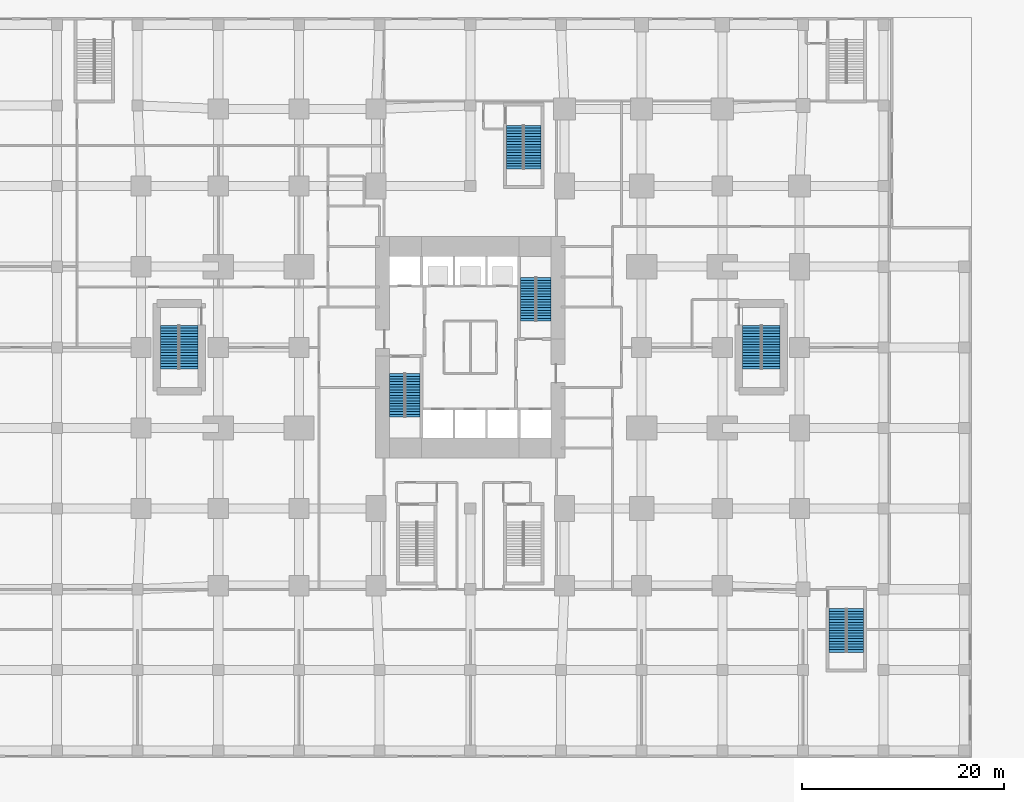
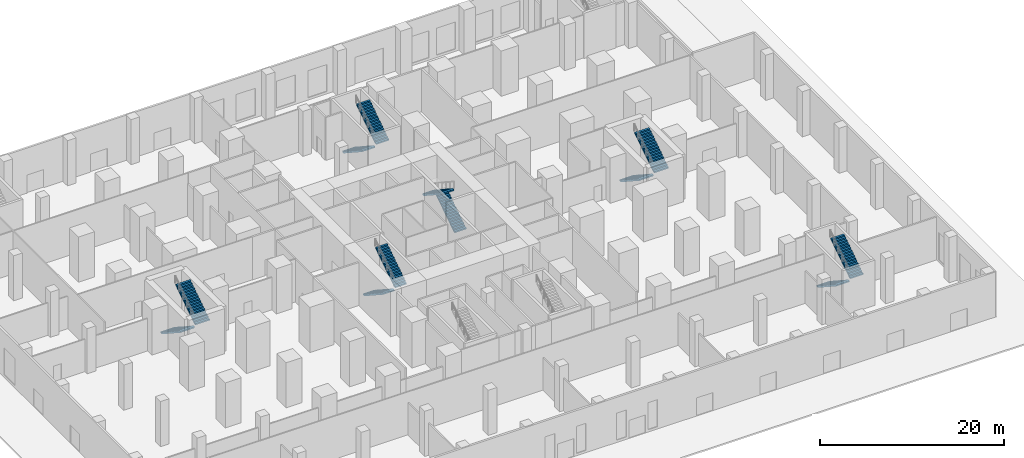
# One storey, part 13 of 16: 12 stair flights, 6 elements without a shape of their own.
"""IFC4 building model written with IfcOpenShell, lengths in metres."""

from ifc_helpers import new_model, si_unit, direction, frame, origin, place, context, subcontext, project, spatial, polyline, outline, extrude, material, type_object, element, aggregate, save


model = new_model("IFC4")

# Units and contexts
model_context = context("Model", 3, precision=1e-05, world=origin(), true_north=direction((0.0, 1.0)))
body_context = subcontext(model_context, "Body", "Model", "MODEL_VIEW")
ifc_project = project(units=[si_unit("LENGTHUNIT", "METRE"), si_unit("AREAUNIT", "SQUARE_METRE"), si_unit("VOLUMEUNIT", "CUBIC_METRE"), si_unit("PLANEANGLEUNIT", "RADIAN"), si_unit("MASSUNIT", "GRAM", prefix="KILO")], contexts=[model_context])

# Site, building, storey
site_placement = place(None, origin())
site = spatial("IfcSite", under=ifc_project, at=site_placement, CompositionType="ELEMENT")
building_placement = place(site_placement, origin())
building = spatial("IfcBuilding", under=site, at=building_placement, Name="Cleftline Residences", CompositionType="ELEMENT")
storey_placement = place(building_placement, origin())
storey = spatial("IfcBuildingStorey", under=building, at=storey_placement, Name="L00", CompositionType="ELEMENT", Elevation=0.0)

# Stair, stair flights
ifc_material_1 = material(Name="Concrete B45, stone treads", Category="masonry")
stair_type_1 = type_object("IfcStairType", Name="STAIR A 1450 WIDE 176 RISER", PredefinedType="HALF_TURN_STAIR", material=ifc_material_1)
stair_1_placement = place(storey_placement, origin())
stair_1 = element("IfcStair", 1, at=stair_1_placement, inside=storey, type_object=stair_type_1, Name="Stair A L00", PredefinedType="HALF_TURN_STAIR")
ifc_material_2 = material(Name="Concrete B45", Category="concrete")
stair_flight_type_1 = type_object("IfcStairFlightType", Name="STAIR A FLIGHT 1450X176", PredefinedType="STRAIGHT", material=ifc_material_2)
stair_flight_1_placement = place(storey_placement, frame((25.72509765625, 21.39990234375, 0.0), z_axis=(0.0, 0.0, 1.0), x_axis=(0.0, -1.0, 0.0)))
stair_flight_1 = element("IfcStairFlight", 2, at=stair_flight_1_placement, type_object=stair_flight_type_1, Name="ST-A flight 1", NumberOfRisers=17, NumberOfTreads=16, PredefinedType="STRAIGHT", RiserHeight=0.176470588, TreadLength=0.27, context=body_context, shape_type="SweptSolid", body=[
    extrude(outline(polyline([(0.0, 0.0), (0.0, 0.013671875), (0.0, 0.027099609375), (0.0, 0.040771484375), (0.0, 0.05419921875), (0.0, 0.06787109375), (0.0, 0.08154296875), (0.0, 0.094970703125), (0.0, 0.108642578125), (0.0, 0.1220703125), (0.0, 0.1357421875), (0.0, 0.1494140625), (0.0, 0.162841796875), (0.0, 0.176513671875), (0.27001953125, 0.176513671875), (0.27001953125, 0.35302734375), (0.5400390625, 0.35302734375), (0.5400390625, 0.529296875), (0.81005859375, 0.529296875), (0.81005859375, 0.705810546875), (1.080078125, 0.705810546875), (1.080078125, 0.88232421875), (1.35009765625, 0.88232421875), (1.35009765625, 1.058837890625), (1.6201171875, 1.058837890625), (1.6201171875, 1.2353515625), (1.889892578125, 1.2353515625), (1.889892578125, 1.411865234375), (2.159912109375, 1.411865234375), (2.159912109375, 1.588134765625), (2.429931640625, 1.588134765625), (2.429931640625, 1.7646484375), (2.699951171875, 1.7646484375), (2.699951171875, 1.941162109375), (2.969970703125, 1.941162109375), (2.969970703125, 2.11767578125), (3.239990234375, 2.11767578125), (3.239990234375, 2.294189453125), (3.510009765625, 2.294189453125), (3.510009765625, 2.470703125), (3.780029296875, 2.470703125), (3.780029296875, 2.64697265625), (4.050048828125, 2.64697265625), (4.050048828125, 2.823486328125), (4.320068359375, 2.823486328125), (4.320068359375, 3.0), (4.320068359375, 2.97265625), (4.320068359375, 2.9453125), (4.320068359375, 2.91796875), (4.320068359375, 2.890625), (4.320068359375, 2.86328125), (4.320068359375, 2.8359375), (4.320068359375, 2.80859375), (4.320068359375, 2.78125), (4.320068359375, 2.75390625), (4.320068359375, 2.7265625), (4.320068359375, 2.69921875), (4.320068359375, 2.671875), (4.320068359375, 2.64453125), (0.27392578125, 0.0), (0.0, 0.0)])), frame((0.0, 0.72509765625, 0.0), z_axis=(0.0, -1.0, 0.0), x_axis=(1.0, 0.0, 0.0)), (0.0, 0.0, 1.0), 1.449951171875),
])
stair_flight_2_placement = place(storey_placement, frame((27.27490234375, 17.080078125, 3.0), z_axis=(0.0, 0.0, 1.0), x_axis=(0.0, 1.0, 0.0)))
stair_flight_2 = element("IfcStairFlight", 3, at=stair_flight_2_placement, type_object=stair_flight_type_1, Name="ST-A flight 2", NumberOfRisers=17, NumberOfTreads=16, PredefinedType="STRAIGHT", RiserHeight=0.176470588, TreadLength=0.27, context=body_context, shape_type="SweptSolid", body=[
    extrude(outline(polyline([(0.0, 0.0), (0.0, 0.013671875), (0.0, 0.027099609375), (0.0, 0.040771484375), (0.0, 0.05419921875), (0.0, 0.06787109375), (0.0, 0.08154296875), (0.0, 0.094970703125), (0.0, 0.108642578125), (0.0, 0.1220703125), (0.0, 0.1357421875), (0.0, 0.1494140625), (0.0, 0.162841796875), (0.0, 0.176513671875), (0.27001953125, 0.176513671875), (0.27001953125, 0.35302734375), (0.5400390625, 0.35302734375), (0.5400390625, 0.529296875), (0.81005859375, 0.529296875), (0.81005859375, 0.705810546875), (1.080078125, 0.705810546875), (1.080078125, 0.88232421875), (1.35009765625, 0.88232421875), (1.35009765625, 1.058837890625), (1.6201171875, 1.058837890625), (1.6201171875, 1.2353515625), (1.889892578125, 1.2353515625), (1.889892578125, 1.411865234375), (2.159912109375, 1.411865234375), (2.159912109375, 1.588134765625), (2.429931640625, 1.588134765625), (2.429931640625, 1.7646484375), (2.699951171875, 1.7646484375), (2.699951171875, 1.941162109375), (2.969970703125, 1.941162109375), (2.969970703125, 2.11767578125), (3.239990234375, 2.11767578125), (3.239990234375, 2.294189453125), (3.510009765625, 2.294189453125), (3.510009765625, 2.470703125), (3.780029296875, 2.470703125), (3.780029296875, 2.64697265625), (4.050048828125, 2.64697265625), (4.050048828125, 2.823486328125), (4.320068359375, 2.823486328125), (4.320068359375, 3.0), (4.320068359375, 2.97265625), (4.320068359375, 2.9453125), (4.320068359375, 2.91796875), (4.320068359375, 2.890625), (4.320068359375, 2.86328125), (4.320068359375, 2.8359375), (4.320068359375, 2.80859375), (4.320068359375, 2.78125), (4.320068359375, 2.75390625), (4.320068359375, 2.7265625), (4.320068359375, 2.69921875), (4.320068359375, 2.671875), (4.320068359375, 2.64453125), (0.27392578125, 0.0), (0.0, 0.0)])), frame((0.0, 0.72509765625, 0.0), z_axis=(0.0, -1.0, 0.0), x_axis=(1.0, 0.0, 0.0)), (0.0, 0.0, 1.0), 1.449951171875),
])
aggregate(stair_1, [stair_flight_1, stair_flight_2])

ifc_material_3 = material(Name="Concrete B45, stone treads", Category="masonry")
stair_type_2 = type_object("IfcStairType", Name="STAIR B 1450 WIDE 176 RISER", PredefinedType="HALF_TURN_STAIR", material=ifc_material_3)
stair_2_placement = place(storey_placement, origin())
stair_2 = element("IfcStair", 4, at=stair_2_placement, inside=storey, type_object=stair_type_2, Name="Stair B L00", PredefinedType="HALF_TURN_STAIR")
ifc_material_4 = material(Name="Concrete B45", Category="concrete")
stair_flight_type_2 = type_object("IfcStairFlightType", Name="STAIR B FLIGHT 1450X176", PredefinedType="STRAIGHT", material=ifc_material_4)
stair_flight_3_placement = place(storey_placement, frame((40.27490234375, 26.60009765625, 0.0), z_axis=(0.0, 0.0, 1.0), x_axis=(0.0, 1.0, 0.0)))
stair_flight_3 = element("IfcStairFlight", 5, at=stair_flight_3_placement, type_object=stair_flight_type_2, Name="ST-B flight 1", NumberOfRisers=17, NumberOfTreads=16, PredefinedType="STRAIGHT", RiserHeight=0.176470588, TreadLength=0.27, context=body_context, shape_type="SweptSolid", body=[
    extrude(outline(polyline([(0.0, 0.0), (0.0, 0.013671875), (0.0, 0.027099609375), (0.0, 0.040771484375), (0.0, 0.05419921875), (0.0, 0.06787109375), (0.0, 0.08154296875), (0.0, 0.094970703125), (0.0, 0.108642578125), (0.0, 0.1220703125), (0.0, 0.1357421875), (0.0, 0.1494140625), (0.0, 0.162841796875), (0.0, 0.176513671875), (0.27001953125, 0.176513671875), (0.27001953125, 0.35302734375), (0.5400390625, 0.35302734375), (0.5400390625, 0.529296875), (0.81005859375, 0.529296875), (0.81005859375, 0.705810546875), (1.080078125, 0.705810546875), (1.080078125, 0.88232421875), (1.35009765625, 0.88232421875), (1.35009765625, 1.058837890625), (1.6201171875, 1.058837890625), (1.6201171875, 1.2353515625), (1.889892578125, 1.2353515625), (1.889892578125, 1.411865234375), (2.159912109375, 1.411865234375), (2.159912109375, 1.588134765625), (2.429931640625, 1.588134765625), (2.429931640625, 1.7646484375), (2.699951171875, 1.7646484375), (2.699951171875, 1.941162109375), (2.969970703125, 1.941162109375), (2.969970703125, 2.11767578125), (3.239990234375, 2.11767578125), (3.239990234375, 2.294189453125), (3.510009765625, 2.294189453125), (3.510009765625, 2.470703125), (3.780029296875, 2.470703125), (3.780029296875, 2.64697265625), (4.050048828125, 2.64697265625), (4.050048828125, 2.823486328125), (4.320068359375, 2.823486328125), (4.320068359375, 3.0), (4.320068359375, 2.97265625), (4.320068359375, 2.9453125), (4.320068359375, 2.91796875), (4.320068359375, 2.890625), (4.320068359375, 2.86328125), (4.320068359375, 2.8359375), (4.320068359375, 2.80859375), (4.320068359375, 2.78125), (4.320068359375, 2.75390625), (4.320068359375, 2.7265625), (4.320068359375, 2.69921875), (4.320068359375, 2.671875), (4.320068359375, 2.64453125), (0.27392578125, 0.0), (0.0, 0.0)])), frame((0.0, 0.72509765625, 0.0), z_axis=(0.0, -1.0, 0.0), x_axis=(1.0, 0.0, 0.0)), (0.0, 0.0, 1.0), 1.449951171875),
])
stair_flight_4_placement = place(storey_placement, frame((38.72509765625, 30.919921875, 3.0), z_axis=(0.0, 0.0, 1.0), x_axis=(0.0, -1.0, 0.0)))
stair_flight_4 = element("IfcStairFlight", 6, at=stair_flight_4_placement, type_object=stair_flight_type_2, Name="ST-B flight 2", NumberOfRisers=17, NumberOfTreads=16, PredefinedType="STRAIGHT", RiserHeight=0.176470588, TreadLength=0.27, context=body_context, shape_type="SweptSolid", body=[
    extrude(outline(polyline([(0.0, 0.0), (0.0, 0.013671875), (0.0, 0.027099609375), (0.0, 0.040771484375), (0.0, 0.05419921875), (0.0, 0.06787109375), (0.0, 0.08154296875), (0.0, 0.094970703125), (0.0, 0.108642578125), (0.0, 0.1220703125), (0.0, 0.1357421875), (0.0, 0.1494140625), (0.0, 0.162841796875), (0.0, 0.176513671875), (0.27001953125, 0.176513671875), (0.27001953125, 0.35302734375), (0.5400390625, 0.35302734375), (0.5400390625, 0.529296875), (0.81005859375, 0.529296875), (0.81005859375, 0.705810546875), (1.080078125, 0.705810546875), (1.080078125, 0.88232421875), (1.35009765625, 0.88232421875), (1.35009765625, 1.058837890625), (1.6201171875, 1.058837890625), (1.6201171875, 1.2353515625), (1.889892578125, 1.2353515625), (1.889892578125, 1.411865234375), (2.159912109375, 1.411865234375), (2.159912109375, 1.588134765625), (2.429931640625, 1.588134765625), (2.429931640625, 1.7646484375), (2.699951171875, 1.7646484375), (2.699951171875, 1.941162109375), (2.969970703125, 1.941162109375), (2.969970703125, 2.11767578125), (3.239990234375, 2.11767578125), (3.239990234375, 2.294189453125), (3.510009765625, 2.294189453125), (3.510009765625, 2.470703125), (3.780029296875, 2.470703125), (3.780029296875, 2.64697265625), (4.050048828125, 2.64697265625), (4.050048828125, 2.823486328125), (4.320068359375, 2.823486328125), (4.320068359375, 3.0), (4.320068359375, 2.97265625), (4.320068359375, 2.9453125), (4.320068359375, 2.91796875), (4.320068359375, 2.890625), (4.320068359375, 2.86328125), (4.320068359375, 2.8359375), (4.320068359375, 2.80859375), (4.320068359375, 2.78125), (4.320068359375, 2.75390625), (4.320068359375, 2.7265625), (4.320068359375, 2.69921875), (4.320068359375, 2.671875), (4.320068359375, 2.64453125), (0.27392578125, 0.0), (0.0, 0.0)])), frame((0.0, 0.72509765625, 0.0), z_axis=(0.0, -1.0, 0.0), x_axis=(1.0, 0.0, 0.0)), (0.0, 0.0, 1.0), 1.449951171875),
])
aggregate(stair_2, [stair_flight_3, stair_flight_4])

ifc_material_5 = material(Name="Concrete B45, stone treads", Category="masonry")
stair_type_3 = type_object("IfcStairType", Name="STAIR D 1630 WIDE 176 RISER", PredefinedType="HALF_TURN_STAIR", material=ifc_material_5)
stair_3_placement = place(storey_placement, origin())
stair_3 = element("IfcStair", 7, at=stair_3_placement, inside=storey, type_object=stair_type_3, Name="Stair D L00", PredefinedType="HALF_TURN_STAIR")
ifc_material_6 = material(Name="Concrete B45", Category="concrete")
stair_flight_type_3 = type_object("IfcStairFlightType", Name="STAIR D FLIGHT 1630X176", PredefinedType="STRAIGHT", material=ifc_material_6)
stair_flight_5_placement = place(storey_placement, frame((37.4150390625, 46.02001953125, 0.0), z_axis=(0.0, 0.0, 1.0), x_axis=(0.0, -1.0, 0.0)))
stair_flight_5 = element("IfcStairFlight", 8, at=stair_flight_5_placement, type_object=stair_flight_type_3, Name="ST-D flight 1", NumberOfRisers=17, NumberOfTreads=16, PredefinedType="STRAIGHT", RiserHeight=0.176470588, TreadLength=0.27, context=body_context, shape_type="SweptSolid", body=[
    extrude(outline(polyline([(0.0, 0.0), (0.0, 0.013671875), (0.0, 0.027099609375), (0.0, 0.040771484375), (0.0, 0.05419921875), (0.0, 0.06787109375), (0.0, 0.08154296875), (0.0, 0.094970703125), (0.0, 0.108642578125), (0.0, 0.1220703125), (0.0, 0.1357421875), (0.0, 0.1494140625), (0.0, 0.162841796875), (0.0, 0.176513671875), (0.27001953125, 0.176513671875), (0.27001953125, 0.35302734375), (0.5400390625, 0.35302734375), (0.5400390625, 0.529296875), (0.81005859375, 0.529296875), (0.81005859375, 0.705810546875), (1.080078125, 0.705810546875), (1.080078125, 0.88232421875), (1.35009765625, 0.88232421875), (1.35009765625, 1.058837890625), (1.6201171875, 1.058837890625), (1.6201171875, 1.2353515625), (1.889892578125, 1.2353515625), (1.889892578125, 1.411865234375), (2.159912109375, 1.411865234375), (2.159912109375, 1.588134765625), (2.429931640625, 1.588134765625), (2.429931640625, 1.7646484375), (2.699951171875, 1.7646484375), (2.699951171875, 1.941162109375), (2.969970703125, 1.941162109375), (2.969970703125, 2.11767578125), (3.239990234375, 2.11767578125), (3.239990234375, 2.294189453125), (3.510009765625, 2.294189453125), (3.510009765625, 2.470703125), (3.780029296875, 2.470703125), (3.780029296875, 2.64697265625), (4.050048828125, 2.64697265625), (4.050048828125, 2.823486328125), (4.320068359375, 2.823486328125), (4.320068359375, 3.0), (4.320068359375, 2.97265625), (4.320068359375, 2.9453125), (4.320068359375, 2.91796875), (4.320068359375, 2.890625), (4.320068359375, 2.86328125), (4.320068359375, 2.8359375), (4.320068359375, 2.80859375), (4.320068359375, 2.78125), (4.320068359375, 2.75390625), (4.320068359375, 2.7265625), (4.320068359375, 2.69921875), (4.320068359375, 2.671875), (4.320068359375, 2.64453125), (0.27392578125, 0.0), (0.0, 0.0)])), frame((0.0, 0.81494140625, 0.0), z_axis=(0.0, -1.0, 0.0), x_axis=(1.0, 0.0, 0.0)), (0.0, 0.0, 1.0), 1.6298828125),
])
stair_flight_6_placement = place(storey_placement, frame((39.18505859375, 41.699951171875, 3.0), z_axis=(0.0, 0.0, 1.0), x_axis=(0.0, 1.0, 0.0)))
stair_flight_6 = element("IfcStairFlight", 9, at=stair_flight_6_placement, type_object=stair_flight_type_3, Name="ST-D flight 2", NumberOfRisers=17, NumberOfTreads=16, PredefinedType="STRAIGHT", RiserHeight=0.176470588, TreadLength=0.27, context=body_context, shape_type="SweptSolid", body=[
    extrude(outline(polyline([(0.0, 0.0), (0.0, 0.013671875), (0.0, 0.027099609375), (0.0, 0.040771484375), (0.0, 0.05419921875), (0.0, 0.06787109375), (0.0, 0.08154296875), (0.0, 0.094970703125), (0.0, 0.108642578125), (0.0, 0.1220703125), (0.0, 0.1357421875), (0.0, 0.1494140625), (0.0, 0.162841796875), (0.0, 0.176513671875), (0.27001953125, 0.176513671875), (0.27001953125, 0.35302734375), (0.5400390625, 0.35302734375), (0.5400390625, 0.529296875), (0.81005859375, 0.529296875), (0.81005859375, 0.705810546875), (1.080078125, 0.705810546875), (1.080078125, 0.88232421875), (1.35009765625, 0.88232421875), (1.35009765625, 1.058837890625), (1.6201171875, 1.058837890625), (1.6201171875, 1.2353515625), (1.889892578125, 1.2353515625), (1.889892578125, 1.411865234375), (2.159912109375, 1.411865234375), (2.159912109375, 1.588134765625), (2.429931640625, 1.588134765625), (2.429931640625, 1.7646484375), (2.699951171875, 1.7646484375), (2.699951171875, 1.941162109375), (2.969970703125, 1.941162109375), (2.969970703125, 2.11767578125), (3.239990234375, 2.11767578125), (3.239990234375, 2.294189453125), (3.510009765625, 2.294189453125), (3.510009765625, 2.470703125), (3.780029296875, 2.470703125), (3.780029296875, 2.64697265625), (4.050048828125, 2.64697265625), (4.050048828125, 2.823486328125), (4.320068359375, 2.823486328125), (4.320068359375, 3.0), (4.320068359375, 2.97265625), (4.320068359375, 2.9453125), (4.320068359375, 2.91796875), (4.320068359375, 2.890625), (4.320068359375, 2.86328125), (4.320068359375, 2.8359375), (4.320068359375, 2.80859375), (4.320068359375, 2.78125), (4.320068359375, 2.75390625), (4.320068359375, 2.7265625), (4.320068359375, 2.69921875), (4.320068359375, 2.671875), (4.320068359375, 2.64453125), (0.27392578125, 0.0), (0.0, 0.0)])), frame((0.0, 0.81494140625, 0.0), z_axis=(0.0, -1.0, 0.0), x_axis=(1.0, 0.0, 0.0)), (0.0, 0.0, 1.0), 1.6298828125),
])
aggregate(stair_3, [stair_flight_5, stair_flight_6])

ifc_material_7 = material(Name="Concrete B45, stone treads", Category="masonry")
stair_type_4 = type_object("IfcStairType", Name="STAIR E 1800 WIDE 176 RISER", PredefinedType="HALF_TURN_STAIR", material=ifc_material_7)
stair_4_placement = place(storey_placement, origin())
stair_4 = element("IfcStair", 10, at=stair_4_placement, inside=storey, type_object=stair_type_4, Name="Stair E L00", PredefinedType="HALF_TURN_STAIR")
ifc_material_8 = material(Name="Concrete B45", Category="concrete")
stair_flight_type_4 = type_object("IfcStairFlightType", Name="STAIR E FLIGHT 1800X176", PredefinedType="STRAIGHT", material=ifc_material_8)
stair_flight_7_placement = place(storey_placement, frame((60.925048828125, 26.175048828125, 0.0), z_axis=(0.0, 0.0, 1.0), x_axis=(0.0, -1.0, 0.0)))
stair_flight_7 = element("IfcStairFlight", 11, at=stair_flight_7_placement, type_object=stair_flight_type_4, Name="ST-E flight 1", NumberOfRisers=17, NumberOfTreads=16, PredefinedType="STRAIGHT", RiserHeight=0.176470588, TreadLength=0.27, context=body_context, shape_type="SweptSolid", body=[
    extrude(outline(polyline([(0.0, 0.0), (0.0, 0.013671875), (0.0, 0.027099609375), (0.0, 0.040771484375), (0.0, 0.05419921875), (0.0, 0.06787109375), (0.0, 0.08154296875), (0.0, 0.094970703125), (0.0, 0.108642578125), (0.0, 0.1220703125), (0.0, 0.1357421875), (0.0, 0.1494140625), (0.0, 0.162841796875), (0.0, 0.176513671875), (0.27001953125, 0.176513671875), (0.27001953125, 0.35302734375), (0.5400390625, 0.35302734375), (0.5400390625, 0.529296875), (0.81005859375, 0.529296875), (0.81005859375, 0.705810546875), (1.080078125, 0.705810546875), (1.080078125, 0.88232421875), (1.35009765625, 0.88232421875), (1.35009765625, 1.058837890625), (1.6201171875, 1.058837890625), (1.6201171875, 1.2353515625), (1.889892578125, 1.2353515625), (1.889892578125, 1.411865234375), (2.159912109375, 1.411865234375), (2.159912109375, 1.588134765625), (2.429931640625, 1.588134765625), (2.429931640625, 1.7646484375), (2.699951171875, 1.7646484375), (2.699951171875, 1.941162109375), (2.969970703125, 1.941162109375), (2.969970703125, 2.11767578125), (3.239990234375, 2.11767578125), (3.239990234375, 2.294189453125), (3.510009765625, 2.294189453125), (3.510009765625, 2.470703125), (3.780029296875, 2.470703125), (3.780029296875, 2.64697265625), (4.050048828125, 2.64697265625), (4.050048828125, 2.823486328125), (4.320068359375, 2.823486328125), (4.320068359375, 3.0), (4.320068359375, 2.97265625), (4.320068359375, 2.9453125), (4.320068359375, 2.91796875), (4.320068359375, 2.890625), (4.320068359375, 2.86328125), (4.320068359375, 2.8359375), (4.320068359375, 2.80859375), (4.320068359375, 2.78125), (4.320068359375, 2.75390625), (4.320068359375, 2.7265625), (4.320068359375, 2.69921875), (4.320068359375, 2.671875), (4.320068359375, 2.64453125), (0.27392578125, 0.0), (0.0, 0.0)])), frame((0.0, 0.89990234375, 0.0), z_axis=(0.0, -1.0, 0.0), x_axis=(1.0, 0.0, 0.0)), (0.0, 0.0, 1.0), 1.800048828125),
])
stair_flight_8_placement = place(storey_placement, frame((62.824951171875, 21.85498046875, 3.0), z_axis=(0.0, 0.0, 1.0), x_axis=(0.0, 1.0, 0.0)))
stair_flight_8 = element("IfcStairFlight", 12, at=stair_flight_8_placement, type_object=stair_flight_type_4, Name="ST-E flight 2", NumberOfRisers=17, NumberOfTreads=16, PredefinedType="STRAIGHT", RiserHeight=0.176470588, TreadLength=0.27, context=body_context, shape_type="SweptSolid", body=[
    extrude(outline(polyline([(0.0, 0.0), (0.0, 0.013671875), (0.0, 0.027099609375), (0.0, 0.040771484375), (0.0, 0.05419921875), (0.0, 0.06787109375), (0.0, 0.08154296875), (0.0, 0.094970703125), (0.0, 0.108642578125), (0.0, 0.1220703125), (0.0, 0.1357421875), (0.0, 0.1494140625), (0.0, 0.162841796875), (0.0, 0.176513671875), (0.27001953125, 0.176513671875), (0.27001953125, 0.35302734375), (0.5400390625, 0.35302734375), (0.5400390625, 0.529296875), (0.81005859375, 0.529296875), (0.81005859375, 0.705810546875), (1.080078125, 0.705810546875), (1.080078125, 0.88232421875), (1.35009765625, 0.88232421875), (1.35009765625, 1.058837890625), (1.6201171875, 1.058837890625), (1.6201171875, 1.2353515625), (1.889892578125, 1.2353515625), (1.889892578125, 1.411865234375), (2.159912109375, 1.411865234375), (2.159912109375, 1.588134765625), (2.429931640625, 1.588134765625), (2.429931640625, 1.7646484375), (2.699951171875, 1.7646484375), (2.699951171875, 1.941162109375), (2.969970703125, 1.941162109375), (2.969970703125, 2.11767578125), (3.239990234375, 2.11767578125), (3.239990234375, 2.294189453125), (3.510009765625, 2.294189453125), (3.510009765625, 2.470703125), (3.780029296875, 2.470703125), (3.780029296875, 2.64697265625), (4.050048828125, 2.64697265625), (4.050048828125, 2.823486328125), (4.320068359375, 2.823486328125), (4.320068359375, 3.0), (4.320068359375, 2.97265625), (4.320068359375, 2.9453125), (4.320068359375, 2.91796875), (4.320068359375, 2.890625), (4.320068359375, 2.86328125), (4.320068359375, 2.8359375), (4.320068359375, 2.80859375), (4.320068359375, 2.78125), (4.320068359375, 2.75390625), (4.320068359375, 2.7265625), (4.320068359375, 2.69921875), (4.320068359375, 2.671875), (4.320068359375, 2.64453125), (0.27392578125, 0.0), (0.0, 0.0)])), frame((0.0, 0.89990234375, 0.0), z_axis=(0.0, -1.0, 0.0), x_axis=(1.0, 0.0, 0.0)), (0.0, 0.0, 1.0), 1.800048828125),
])
aggregate(stair_4, [stair_flight_7, stair_flight_8])

ifc_material_9 = material(Name="Concrete B45, stone treads", Category="masonry")
stair_type_5 = type_object("IfcStairType", Name="STAIR PS-S 1630 WIDE 176 RISER", PredefinedType="HALF_TURN_STAIR", material=ifc_material_9)
stair_5_placement = place(storey_placement, origin())
stair_5 = element("IfcStair", 13, at=stair_5_placement, inside=storey, type_object=stair_type_5, Name="Stair PS-S L00", PredefinedType="HALF_TURN_STAIR")
ifc_material_10 = material(Name="Concrete B45", Category="concrete")
stair_flight_type_5 = type_object("IfcStairFlightType", Name="STAIR PS-S FLIGHT 1630X176", PredefinedType="STRAIGHT", material=ifc_material_10)
stair_flight_9_placement = place(storey_placement, frame((69.4150390625, -1.929931640625, 0.0), z_axis=(0.0, 0.0, 1.0), x_axis=(0.0, -1.0, 0.0)))
stair_flight_9 = element("IfcStairFlight", 14, at=stair_flight_9_placement, type_object=stair_flight_type_5, Name="ST-PS-S flight 1", NumberOfRisers=17, NumberOfTreads=16, PredefinedType="STRAIGHT", RiserHeight=0.176470588, TreadLength=0.27, context=body_context, shape_type="SweptSolid", body=[
    extrude(outline(polyline([(0.0, 0.0), (0.0, 0.013671875), (0.0, 0.027099609375), (0.0, 0.040771484375), (0.0, 0.05419921875), (0.0, 0.06787109375), (0.0, 0.08154296875), (0.0, 0.094970703125), (0.0, 0.108642578125), (0.0, 0.1220703125), (0.0, 0.1357421875), (0.0, 0.1494140625), (0.0, 0.162841796875), (0.0, 0.176513671875), (0.27001953125, 0.176513671875), (0.27001953125, 0.35302734375), (0.5400390625, 0.35302734375), (0.5400390625, 0.529296875), (0.81005859375, 0.529296875), (0.81005859375, 0.705810546875), (1.080078125, 0.705810546875), (1.080078125, 0.88232421875), (1.35009765625, 0.88232421875), (1.35009765625, 1.058837890625), (1.6201171875, 1.058837890625), (1.6201171875, 1.2353515625), (1.889892578125, 1.2353515625), (1.889892578125, 1.411865234375), (2.159912109375, 1.411865234375), (2.159912109375, 1.588134765625), (2.429931640625, 1.588134765625), (2.429931640625, 1.7646484375), (2.699951171875, 1.7646484375), (2.699951171875, 1.941162109375), (2.969970703125, 1.941162109375), (2.969970703125, 2.11767578125), (3.239990234375, 2.11767578125), (3.239990234375, 2.294189453125), (3.510009765625, 2.294189453125), (3.510009765625, 2.470703125), (3.780029296875, 2.470703125), (3.780029296875, 2.64697265625), (4.050048828125, 2.64697265625), (4.050048828125, 2.823486328125), (4.320068359375, 2.823486328125), (4.320068359375, 3.0), (4.320068359375, 2.97265625), (4.320068359375, 2.9453125), (4.320068359375, 2.91796875), (4.320068359375, 2.890625), (4.320068359375, 2.86328125), (4.320068359375, 2.8359375), (4.320068359375, 2.80859375), (4.320068359375, 2.78125), (4.320068359375, 2.75390625), (4.320068359375, 2.7265625), (4.320068359375, 2.69921875), (4.320068359375, 2.671875), (4.320068359375, 2.64453125), (0.27392578125, 0.0), (0.0, 0.0)])), frame((0.0, 0.81494140625, 0.0), z_axis=(0.0, -1.0, 0.0), x_axis=(1.0, 0.0, 0.0)), (0.0, 0.0, 1.0), 1.6298828125),
])
stair_flight_10_placement = place(storey_placement, frame((71.18505859375, -6.25, 3.0), z_axis=(0.0, 0.0, 1.0), x_axis=(0.0, 1.0, 0.0)))
stair_flight_10 = element("IfcStairFlight", 15, at=stair_flight_10_placement, type_object=stair_flight_type_5, Name="ST-PS-S flight 2", NumberOfRisers=17, NumberOfTreads=16, PredefinedType="STRAIGHT", RiserHeight=0.176470588, TreadLength=0.27, context=body_context, shape_type="SweptSolid", body=[
    extrude(outline(polyline([(0.0, 0.0), (0.0, 0.013671875), (0.0, 0.027099609375), (0.0, 0.040771484375), (0.0, 0.05419921875), (0.0, 0.06787109375), (0.0, 0.08154296875), (0.0, 0.094970703125), (0.0, 0.108642578125), (0.0, 0.1220703125), (0.0, 0.1357421875), (0.0, 0.1494140625), (0.0, 0.162841796875), (0.0, 0.176513671875), (0.27001953125, 0.176513671875), (0.27001953125, 0.35302734375), (0.5400390625, 0.35302734375), (0.5400390625, 0.529296875), (0.81005859375, 0.529296875), (0.81005859375, 0.705810546875), (1.080078125, 0.705810546875), (1.080078125, 0.88232421875), (1.35009765625, 0.88232421875), (1.35009765625, 1.058837890625), (1.6201171875, 1.058837890625), (1.6201171875, 1.2353515625), (1.889892578125, 1.2353515625), (1.889892578125, 1.411865234375), (2.159912109375, 1.411865234375), (2.159912109375, 1.588134765625), (2.429931640625, 1.588134765625), (2.429931640625, 1.7646484375), (2.699951171875, 1.7646484375), (2.699951171875, 1.941162109375), (2.969970703125, 1.941162109375), (2.969970703125, 2.11767578125), (3.239990234375, 2.11767578125), (3.239990234375, 2.294189453125), (3.510009765625, 2.294189453125), (3.510009765625, 2.470703125), (3.780029296875, 2.470703125), (3.780029296875, 2.64697265625), (4.050048828125, 2.64697265625), (4.050048828125, 2.823486328125), (4.320068359375, 2.823486328125), (4.320068359375, 3.0), (4.320068359375, 2.97265625), (4.320068359375, 2.9453125), (4.320068359375, 2.91796875), (4.320068359375, 2.890625), (4.320068359375, 2.86328125), (4.320068359375, 2.8359375), (4.320068359375, 2.80859375), (4.320068359375, 2.78125), (4.320068359375, 2.75390625), (4.320068359375, 2.7265625), (4.320068359375, 2.69921875), (4.320068359375, 2.671875), (4.320068359375, 2.64453125), (0.27392578125, 0.0), (0.0, 0.0)])), frame((0.0, 0.81494140625, 0.0), z_axis=(0.0, -1.0, 0.0), x_axis=(1.0, 0.0, 0.0)), (0.0, 0.0, 1.0), 1.6298828125),
])
aggregate(stair_5, [stair_flight_9, stair_flight_10])

ifc_material_11 = material(Name="Concrete B45, stone treads", Category="masonry")
stair_type_6 = type_object("IfcStairType", Name="STAIR W 1800 WIDE 176 RISER", PredefinedType="HALF_TURN_STAIR", material=ifc_material_11)
stair_6_placement = place(storey_placement, origin())
stair_6 = element("IfcStair", 16, at=stair_6_placement, inside=storey, type_object=stair_type_6, Name="Stair W L00", PredefinedType="HALF_TURN_STAIR")
ifc_material_12 = material(Name="Concrete B45", Category="concrete")
stair_flight_type_6 = type_object("IfcStairFlightType", Name="STAIR W FLIGHT 1800X176", PredefinedType="STRAIGHT", material=ifc_material_12)
stair_flight_11_placement = place(storey_placement, frame((3.175048828125, 26.175048828125, 0.0), z_axis=(0.0, 0.0, 1.0), x_axis=(0.0, -1.0, 0.0)))
stair_flight_11 = element("IfcStairFlight", 17, at=stair_flight_11_placement, type_object=stair_flight_type_6, Name="ST-W flight 1", NumberOfRisers=17, NumberOfTreads=16, PredefinedType="STRAIGHT", RiserHeight=0.176470588, TreadLength=0.27, context=body_context, shape_type="SweptSolid", body=[
    extrude(outline(polyline([(0.0, 0.0), (0.0, 0.013671875), (0.0, 0.027099609375), (0.0, 0.040771484375), (0.0, 0.05419921875), (0.0, 0.06787109375), (0.0, 0.08154296875), (0.0, 0.094970703125), (0.0, 0.108642578125), (0.0, 0.1220703125), (0.0, 0.1357421875), (0.0, 0.1494140625), (0.0, 0.162841796875), (0.0, 0.176513671875), (0.27001953125, 0.176513671875), (0.27001953125, 0.35302734375), (0.5400390625, 0.35302734375), (0.5400390625, 0.529296875), (0.81005859375, 0.529296875), (0.81005859375, 0.705810546875), (1.080078125, 0.705810546875), (1.080078125, 0.88232421875), (1.35009765625, 0.88232421875), (1.35009765625, 1.058837890625), (1.6201171875, 1.058837890625), (1.6201171875, 1.2353515625), (1.889892578125, 1.2353515625), (1.889892578125, 1.411865234375), (2.159912109375, 1.411865234375), (2.159912109375, 1.588134765625), (2.429931640625, 1.588134765625), (2.429931640625, 1.7646484375), (2.699951171875, 1.7646484375), (2.699951171875, 1.941162109375), (2.969970703125, 1.941162109375), (2.969970703125, 2.11767578125), (3.239990234375, 2.11767578125), (3.239990234375, 2.294189453125), (3.510009765625, 2.294189453125), (3.510009765625, 2.470703125), (3.780029296875, 2.470703125), (3.780029296875, 2.64697265625), (4.050048828125, 2.64697265625), (4.050048828125, 2.823486328125), (4.320068359375, 2.823486328125), (4.320068359375, 3.0), (4.320068359375, 2.97265625), (4.320068359375, 2.9453125), (4.320068359375, 2.91796875), (4.320068359375, 2.890625), (4.320068359375, 2.86328125), (4.320068359375, 2.8359375), (4.320068359375, 2.80859375), (4.320068359375, 2.78125), (4.320068359375, 2.75390625), (4.320068359375, 2.7265625), (4.320068359375, 2.69921875), (4.320068359375, 2.671875), (4.320068359375, 2.64453125), (0.27392578125, 0.0), (0.0, 0.0)])), frame((0.0, 0.89990234375, 0.0), z_axis=(0.0, -1.0, 0.0), x_axis=(1.0, 0.0, 0.0)), (0.0, 0.0, 1.0), 1.800048828125),
])
stair_flight_12_placement = place(storey_placement, frame((5.074951171875, 21.85498046875, 3.0), z_axis=(0.0, 0.0, 1.0), x_axis=(0.0, 1.0, 0.0)))
stair_flight_12 = element("IfcStairFlight", 18, at=stair_flight_12_placement, type_object=stair_flight_type_6, Name="ST-W flight 2", NumberOfRisers=17, NumberOfTreads=16, PredefinedType="STRAIGHT", RiserHeight=0.176470588, TreadLength=0.27, context=body_context, shape_type="SweptSolid", body=[
    extrude(outline(polyline([(0.0, 0.0), (0.0, 0.013671875), (0.0, 0.027099609375), (0.0, 0.040771484375), (0.0, 0.05419921875), (0.0, 0.06787109375), (0.0, 0.08154296875), (0.0, 0.094970703125), (0.0, 0.108642578125), (0.0, 0.1220703125), (0.0, 0.1357421875), (0.0, 0.1494140625), (0.0, 0.162841796875), (0.0, 0.176513671875), (0.27001953125, 0.176513671875), (0.27001953125, 0.35302734375), (0.5400390625, 0.35302734375), (0.5400390625, 0.529296875), (0.81005859375, 0.529296875), (0.81005859375, 0.705810546875), (1.080078125, 0.705810546875), (1.080078125, 0.88232421875), (1.35009765625, 0.88232421875), (1.35009765625, 1.058837890625), (1.6201171875, 1.058837890625), (1.6201171875, 1.2353515625), (1.889892578125, 1.2353515625), (1.889892578125, 1.411865234375), (2.159912109375, 1.411865234375), (2.159912109375, 1.588134765625), (2.429931640625, 1.588134765625), (2.429931640625, 1.7646484375), (2.699951171875, 1.7646484375), (2.699951171875, 1.941162109375), (2.969970703125, 1.941162109375), (2.969970703125, 2.11767578125), (3.239990234375, 2.11767578125), (3.239990234375, 2.294189453125), (3.510009765625, 2.294189453125), (3.510009765625, 2.470703125), (3.780029296875, 2.470703125), (3.780029296875, 2.64697265625), (4.050048828125, 2.64697265625), (4.050048828125, 2.823486328125), (4.320068359375, 2.823486328125), (4.320068359375, 3.0), (4.320068359375, 2.97265625), (4.320068359375, 2.9453125), (4.320068359375, 2.91796875), (4.320068359375, 2.890625), (4.320068359375, 2.86328125), (4.320068359375, 2.8359375), (4.320068359375, 2.80859375), (4.320068359375, 2.78125), (4.320068359375, 2.75390625), (4.320068359375, 2.7265625), (4.320068359375, 2.69921875), (4.320068359375, 2.671875), (4.320068359375, 2.64453125), (0.27392578125, 0.0), (0.0, 0.0)])), frame((0.0, 0.89990234375, 0.0), z_axis=(0.0, -1.0, 0.0), x_axis=(1.0, 0.0, 0.0)), (0.0, 0.0, 1.0), 1.800048828125),
])
aggregate(stair_6, [stair_flight_11, stair_flight_12])

save(model, "model.ifc")
